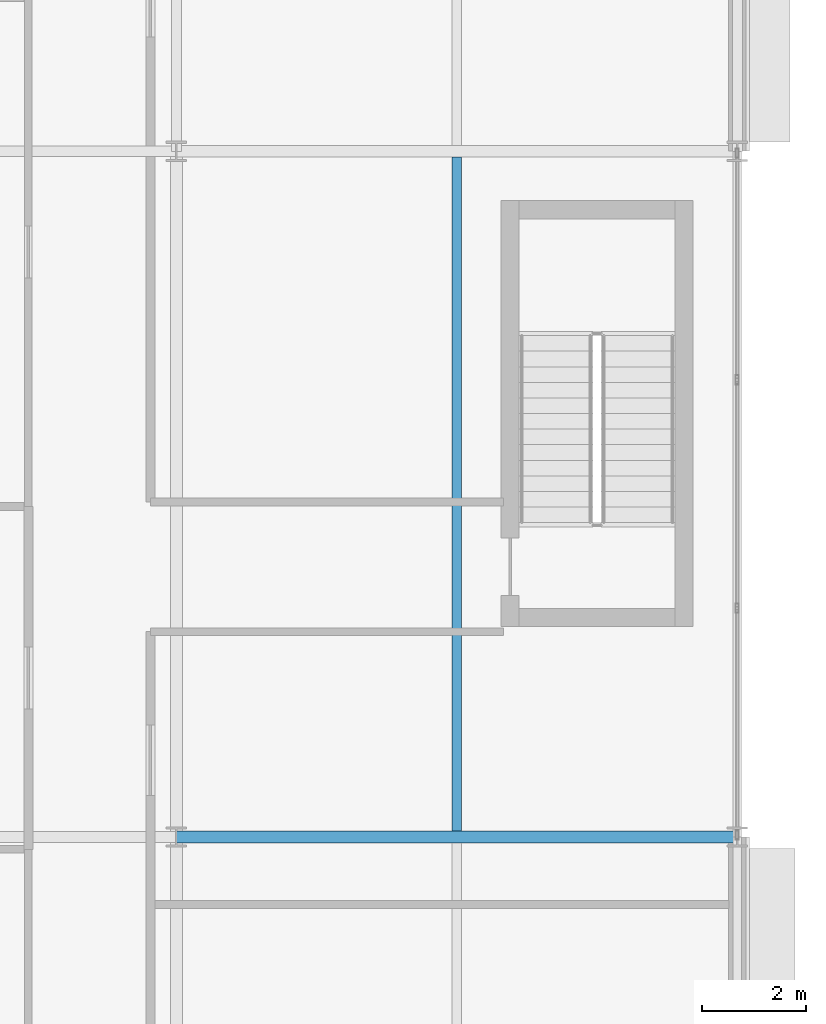
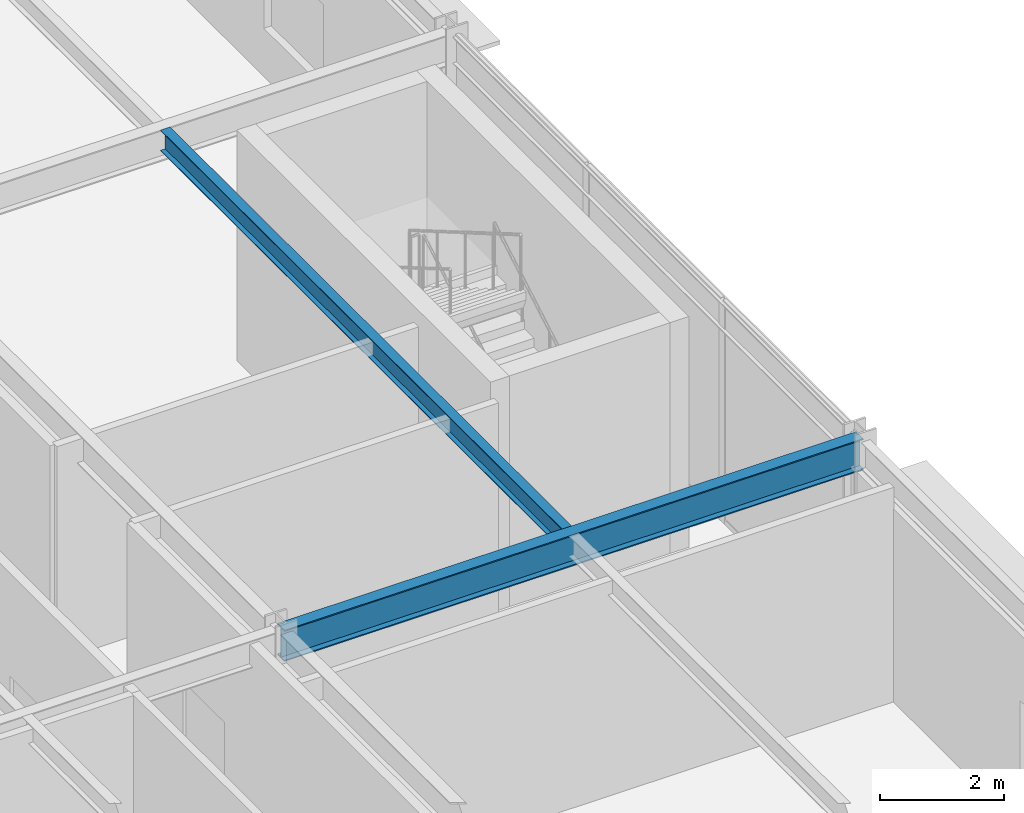
# One storey, part 105 of 157: 2 beams.
"""IFC4 building model written with IfcOpenShell, lengths in metres."""

from ifc_helpers import new_model, si_unit, direction, frame, origin, origin_2d, place, context, subcontext, project, spatial, i_section, extrude, material, material_profile, profile_set, type_object, element, save


model = new_model("IFC4")

# Units and contexts
model_context = context("Model", 3, precision=1e-05, world=origin(), true_north=direction((0.0, 1.0)))
body_context = subcontext(model_context, "Body", "Model", "MODEL_VIEW")
ifc_project = project(units=[si_unit("LENGTHUNIT", "METRE"), si_unit("AREAUNIT", "SQUARE_METRE"), si_unit("VOLUMEUNIT", "CUBIC_METRE"), si_unit("PLANEANGLEUNIT", "RADIAN"), si_unit("MASSUNIT", "GRAM", prefix="KILO")], contexts=[model_context])

# Site, building, storey
site_placement = place(None, origin())
site = spatial("IfcSite", under=ifc_project, at=site_placement, CompositionType="ELEMENT")
building_placement = place(site_placement, origin())
building = spatial("IfcBuilding", under=site, at=building_placement, Name="Almandine Court Research Institute", CompositionType="ELEMENT")
storey_placement = place(building_placement, frame((0.0, 0.0, 5.25)))
storey = spatial("IfcBuildingStorey", under=building, at=storey_placement, Name="L01", CompositionType="ELEMENT", Elevation=5.25)

# Beams
ifc_material = material(Name="Steel ASTM A992 Grade 50", Category="steel")
ifc_material_profile_1 = material_profile(ifc_material, i_section(OverallWidth=0.178955078125, OverallDepth=0.409912109375, WebThickness=0.009033203125, FlangeThickness=0.013916015625, at=origin_2d()), Name="W410x67")
ifc_profile_set_1 = profile_set([ifc_material_profile_1], Name="Steel ASTM A992 Grade 50")
beam_type_1 = type_object("IfcBeamType", Name="Beam-B-02", PredefinedType="JOIST", material=ifc_profile_set_1)
beam_1_placement = place(storey_placement, frame((168.60009765625, 70.9130859375, 4.1650390625), z_axis=(0.0, 1.0, 0.0), x_axis=(-1.0, 0.0, 0.0)))
element("IfcBeam", 1, at=beam_1_placement, inside=storey, type_object=beam_type_1, Name="L01 V4 Composite Secondary Beam", PredefinedType="JOIST", context=body_context, shape_type="SweptSolid", body=[
    extrude(i_section(OverallWidth=0.178955078125, OverallDepth=0.409912109375, WebThickness=0.009033203125, FlangeThickness=0.013916015625, at=origin_2d()), origin(), (0.0, 0.0, 1.0), 12.973876953125),
])
ifc_material_profile_2 = material_profile(ifc_material, i_section(OverallWidth=0.22998046875, OverallDepth=0.616943359375, WebThickness=0.012939453125, FlangeThickness=0.02197265625, at=origin_2d()), Name="W610x140")
ifc_profile_set_2 = profile_set([ifc_material_profile_2], Name="Steel ASTM A992 Grade 50")
beam_type_2 = type_object("IfcBeamType", Name="Beam-G-02", PredefinedType="BEAM", material=ifc_profile_set_2)
beam_2_placement = place(storey_placement, frame((163.199951171875, 70.800048828125, 4.06103515625), z_axis=(1.0, 0.0, 0.0), x_axis=(0.0, 1.0, 0.0)))
element("IfcBeam", 2, at=beam_2_placement, inside=storey, type_object=beam_type_2, Name="L01 V4 Primary X Girder", PredefinedType="BEAM", context=body_context, shape_type="SweptSolid", body=[
    extrude(i_section(OverallWidth=0.22998046875, OverallDepth=0.616943359375, WebThickness=0.012939453125, FlangeThickness=0.02197265625, at=origin_2d()), origin(), (0.0, 0.0, 1.0), 10.800048828125),
])

save(model, "model.ifc")
